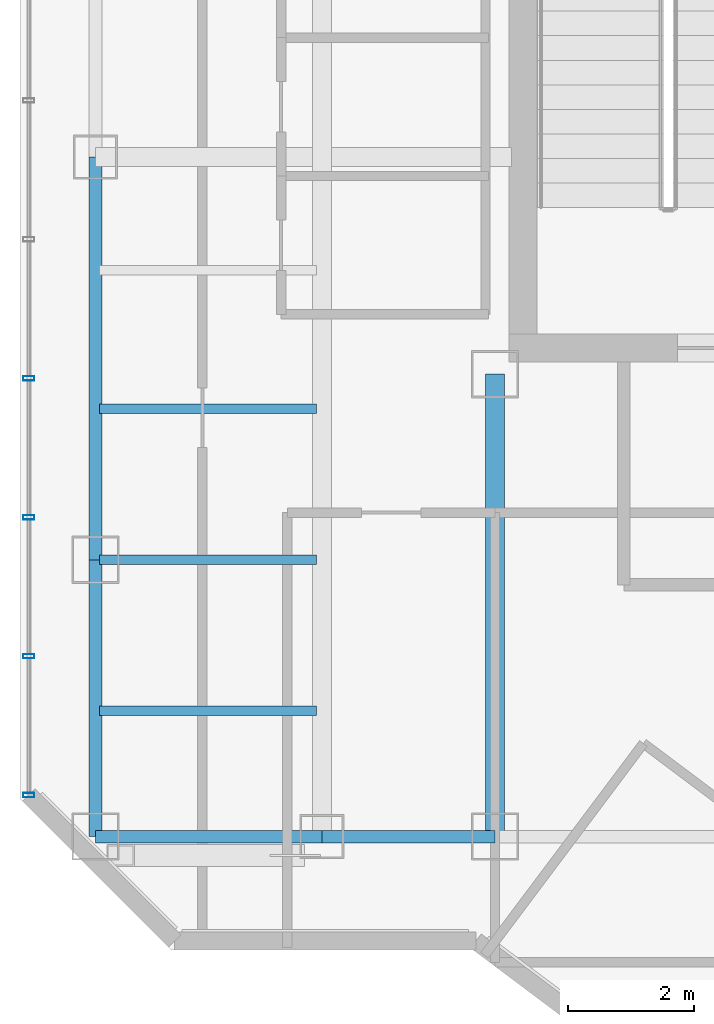
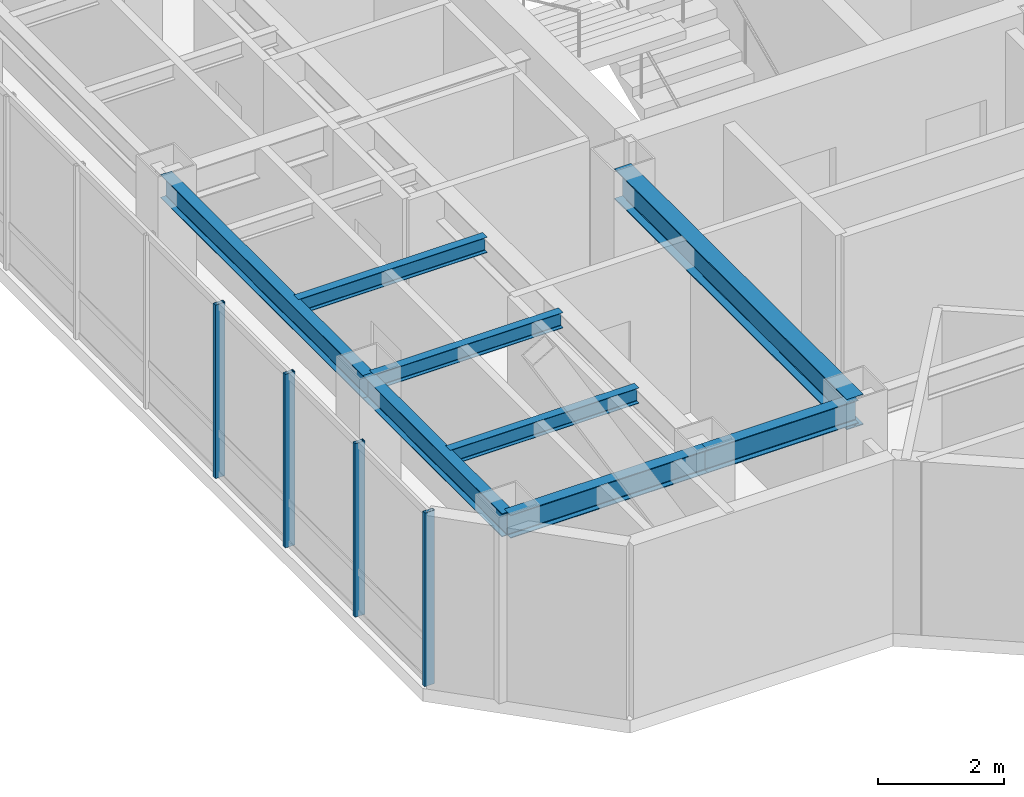
# One storey, part 4 of 25: 8 beams, 4 members, 1 element without a shape of its own.
"""IFC4 building model written with IfcOpenShell, lengths in metres."""

import ifcopenshell
import ifcopenshell.guid

model = None  # the IFC model being written
_history = None  # IfcOwnerHistory: only IFC2X3 demands one
_inside = {}  # id of a spatial element -> (the spatial element, [elements in it])
_under = {}  # id of a project, library or spatial element -> (it, [spatial elements below it])
_declared = {}  # id of a project -> (the project, [libraries it declares])
_typed = {}  # id of a type object -> (the type object, [elements of that type])
_made_of = {}  # id of a material, layer set ... -> (it, [elements and type objects made of it])


def new_model(schema):
    """Start an empty IFC model of exactly this schema.

    Asked for "IFC4X3", IfcOpenShell would pick the latest addendum, in which some entities
    have other attributes; the version numbers below select the first issue.
    IFC2X3 requires an IfcOwnerHistory on every rooted entity: one is made here for all.
    """
    global model, _history
    if schema == "IFC4X3":
        model = ifcopenshell.file(schema_version=(4, 3, 0, 0))
    else:
        model = ifcopenshell.file(schema=schema)
    _inside.clear()
    _under.clear()
    _declared.clear()
    _typed.clear()
    _made_of.clear()
    _history = None
    if model.schema == "IFC2X3":
        org = make("IfcOrganization", Name="unknown")
        user = make(
            "IfcPersonAndOrganization",
            ThePerson=make("IfcPerson", FamilyName="unknown"),
            TheOrganization=org,
        )
        app = make(
            "IfcApplication",
            ApplicationDeveloper=org,
            Version="unknown",
            ApplicationFullName="unknown",
            ApplicationIdentifier="unknown",
        )
        _history = make(
            "IfcOwnerHistory",
            OwningUser=user,
            OwningApplication=app,
            ChangeAction="ADDED",
            CreationDate=0,
        )
    return model


def make(cls, **values):
    """One entity of the class cls with the attributes given. An attribute that is None is left unset."""
    return model.create_entity(
        cls, **{name: value for name, value in values.items() if value is not None}
    )


def rooted(cls, **values):
    """An entity with a GlobalId (a new one), such as an element, a storey or a relation."""
    return make(cls, GlobalId=ifcopenshell.guid.new(), OwnerHistory=_history, **values)


def si_unit(unit_type, name, prefix=None):
    """IfcSIUnit, for example si_unit("LENGTHUNIT", "METRE", prefix="MILLI")."""
    return make("IfcSIUnit", UnitType=unit_type, Prefix=prefix, Name=name)


def assignment(units):
    """IfcUnitAssignment: the units of a project."""
    return None if units is None else make("IfcUnitAssignment", Units=units)


def point(xyz):
    """IfcCartesianPoint."""
    return None if xyz is None else make("IfcCartesianPoint", Coordinates=xyz)


def direction(xyz):
    """IfcDirection."""
    return None if xyz is None else make("IfcDirection", DirectionRatios=xyz)


def frame(location, z_axis=None, x_axis=None):
    """IfcAxis2Placement3D, a coordinate frame: its origin and axes. An axis left out is left unset."""
    return make(
        "IfcAxis2Placement3D",
        Location=point(location),
        Axis=direction(z_axis),
        RefDirection=direction(x_axis),
    )


def frame_2d(location, x_axis=None):
    """IfcAxis2Placement2D, a coordinate frame in the plane: its origin and x axis."""
    return make(
        "IfcAxis2Placement2D", Location=point(location), RefDirection=direction(x_axis)
    )


def origin():
    """The frame at (0, 0, 0) with its axes left unset."""
    return frame((0.0, 0.0, 0.0))


def origin_2d():
    """The frame at (0, 0) in the plane with its x axis left unset."""
    return frame_2d((0.0, 0.0))


def place(relative_to, where):
    """IfcLocalPlacement: puts the frame where relative to a parent placement (None: the world)."""
    return make(
        "IfcLocalPlacement", PlacementRelTo=relative_to, RelativePlacement=where
    )


def context(
    kind, dimensions, precision=None, world=None, true_north=None, identifier=None
):
    """IfcGeometricRepresentationContext, for example the 3D "Model" context."""
    return make(
        "IfcGeometricRepresentationContext",
        ContextIdentifier=identifier,
        ContextType=kind,
        CoordinateSpaceDimension=dimensions,
        Precision=precision,
        WorldCoordinateSystem=world,
        TrueNorth=true_north,
    )


def subcontext(parent, identifier, kind, view, scale=None):
    """IfcGeometricRepresentationSubContext, for example "Body" below "Model"."""
    return make(
        "IfcGeometricRepresentationSubContext",
        ContextIdentifier=identifier,
        ContextType=kind,
        ParentContext=parent,
        TargetScale=scale,
        TargetView=view,
    )


def project(units=None, contexts=None):
    """IfcProject with its units and contexts."""
    return rooted(
        "IfcProject",
        Name="project",
        RepresentationContexts=contexts,
        UnitsInContext=assignment(units),
    )


def spatial(cls, under=None, at=None, **own):
    """A site, building, storey or space (cls), placed at a placement, below another one or the project."""
    s = rooted(cls, ObjectPlacement=at, **own)
    if under is not None:
        _under.setdefault(under.id(), (under, []))[1].append(s)
    return s


def profile(cls, at=None, kind="AREA", **sizes):
    """A parametric profile (cls). Its sizes go by their IFC names, for example OverallWidth=200.0."""
    return make(cls, ProfileType=kind, Position=at, **sizes)


def hollow_rectangle(**sizes):
    """IfcRectangleHollowProfileDef."""
    return profile("IfcRectangleHollowProfileDef", **sizes)


def i_section(**sizes):
    """IfcIShapeProfileDef."""
    return profile("IfcIShapeProfileDef", **sizes)


def extrude(swept, where, along, depth):
    """IfcExtrudedAreaSolid: the profile swept, set in the frame where, extruded along a direction by depth."""
    return make(
        "IfcExtrudedAreaSolid",
        SweptArea=swept,
        Position=where,
        ExtrudedDirection=direction(along),
        Depth=depth,
    )


def shape(context_of_items, identifier, shape_type, items):
    """IfcShapeRepresentation: the items that make up one representation, for example the "Body"."""
    return make(
        "IfcShapeRepresentation",
        ContextOfItems=context_of_items,
        RepresentationIdentifier=identifier,
        RepresentationType=shape_type,
        Items=items,
    )


def material(Name=None, Category=None):
    """IfcMaterial."""
    return make("IfcMaterial", Name=Name, Category=Category)


def layer(
    of_material, thickness, ventilated=None, Name=None, Category=None, Priority=None
):
    """IfcMaterialLayer: one layer of a wall or slab, of a material (None: an air gap)."""
    return make(
        "IfcMaterialLayer",
        Material=of_material,
        LayerThickness=thickness,
        IsVentilated=ventilated,
        Name=Name,
        Category=Category,
        Priority=Priority,
    )


def layer_set(layers, Name=None):
    """IfcMaterialLayerSet."""
    return make("IfcMaterialLayerSet", MaterialLayers=layers, LayerSetName=Name)


def material_profile(
    of_material, cross_section, Name=None, Category=None, Priority=None
):
    """IfcMaterialProfile: a cross section and its material."""
    return make(
        "IfcMaterialProfile",
        Name=Name,
        Material=of_material,
        Profile=cross_section,
        Priority=Priority,
        Category=Category,
    )


def profile_set(profiles, Name=None, composite=None):
    """IfcMaterialProfileSet."""
    return make(
        "IfcMaterialProfileSet",
        Name=Name,
        MaterialProfiles=profiles,
        CompositeProfile=composite,
    )


def made_of(thing, what):
    """Note that an element or type object is made of a material, layer set ...; save() writes the relation."""
    if what is not None:
        _made_of.setdefault(what.id(), (what, []))[1].append(thing)
    return thing


def type_object(cls, material=None, **own):
    """A type object (cls), such as IfcWallType, which elements share."""
    return made_of(rooted(cls, **own), material)


def element(
    cls,
    number,
    at=None,
    inside=None,
    cuts=None,
    type_object=None,
    material=None,
    context=None,
    identifier="Body",
    shape_type=None,
    held_by="IfcProductDefinitionShape",
    body=None,
    shapes=None,
    **own,
):
    """One element of the class cls, such as IfcWall. Its Tag is "e" and its number.

    at: its placement. inside: the storey or other place that contains it. cuts: it is an
    opening in that element (IfcRelVoidsElement). A single representation is given by context,
    identifier, shape_type and body (its items); several are given by shapes. held_by: the class
    of the entity that holds the representations. save() writes the other relations.
    """
    e = rooted(cls, Tag="e%d" % number, ObjectPlacement=at, **own)
    if body is not None:
        shapes = [shape(context, identifier, shape_type, body)]
    if shapes is not None:
        e.Representation = make(held_by, Representations=shapes)
    if inside is not None:
        _inside.setdefault(inside.id(), (inside, []))[1].append(e)
    if cuts is not None:
        rooted(
            "IfcRelVoidsElement", RelatingBuildingElement=cuts, RelatedOpeningElement=e
        )
    if type_object is not None:
        _typed.setdefault(type_object.id(), (type_object, []))[1].append(e)
    return made_of(e, material)


def aggregate(whole, parts):
    """IfcRelAggregates: a whole, such as a stair, and the parts it consists of."""
    return rooted("IfcRelAggregates", RelatingObject=whole, RelatedObjects=parts)


def save(model, path):
    """Write the relations noted so far, then the file.

    IfcRelAggregates (storeys below a building ...), IfcRelContainedInSpatialStructure (elements
    in a storey), IfcRelDefinesByType, IfcRelAssociatesMaterial and IfcRelDeclares: one each for
    every whole, place, type object, material and project.
    """
    for whole, parts in _under.values():
        aggregate(whole, parts)
    for where, things in _inside.values():
        rooted(
            "IfcRelContainedInSpatialStructure",
            RelatedElements=things,
            RelatingStructure=where,
        )
    for kind, things in _typed.values():
        rooted("IfcRelDefinesByType", RelatedObjects=things, RelatingType=kind)
    for what, things in _made_of.values():
        rooted("IfcRelAssociatesMaterial", RelatedObjects=things, RelatingMaterial=what)
    for by, libraries in _declared.values():
        rooted("IfcRelDeclares", RelatingContext=by, RelatedDefinitions=libraries)
    model.write(path)


model = new_model("IFC4")

# Units and contexts
model_context = context("Model", 3, precision=1e-05, world=origin(), true_north=direction((0.0, 1.0)))
body_context = subcontext(model_context, "Body", "Model", "MODEL_VIEW")
ifc_project = project(units=[si_unit("LENGTHUNIT", "METRE"), si_unit("AREAUNIT", "SQUARE_METRE"), si_unit("VOLUMEUNIT", "CUBIC_METRE"), si_unit("PLANEANGLEUNIT", "RADIAN"), si_unit("MASSUNIT", "GRAM", prefix="KILO")], contexts=[model_context])

# Site, building, storey
site_placement = place(None, origin())
site = spatial("IfcSite", under=ifc_project, at=site_placement, CompositionType="ELEMENT")
building_placement = place(site_placement, origin())
building = spatial("IfcBuilding", under=site, at=building_placement, Name="Hatsunagi Terrace Concourse", CompositionType="ELEMENT")
storey_placement = place(building_placement, frame((0.0, 0.0, 205.949951171875)))
storey = spatial("IfcBuildingStorey", under=building, at=storey_placement, Name="L54", CompositionType="ELEMENT", Elevation=205.949951171875)

# Curtain wall, members
ifc_material_1 = material(Name="Anodised Aluminium Alloy 6063-T5", Category="aluminium")
ifc_layer = layer(ifc_material_1, 0.199951171875)
ifc_layer_set = layer_set([ifc_layer], Name="OfficeZone2_CW04")
curtain_wall_type = type_object("IfcCurtainWallType", Name="OfficeZone2_CW04", PredefinedType="NOTDEFINED", material=ifc_layer_set)
curtain_wall_placement = place(storey_placement, origin())
curtain_wall = element("IfcCurtainWall", 1, at=curtain_wall_placement, inside=storey, type_object=curtain_wall_type, Name="Unitised Curtain Wall CW-04 CW-L54-08", PredefinedType="NOTDEFINED")
ifc_material_2 = material(Name="Anodised Aluminium Alloy 6063-T5", Category="aluminium")
ifc_material_profile_1 = material_profile(ifc_material_2, hollow_rectangle(XDim=0.070068359375, YDim=0.179931640625, WallThickness=0.00390625, at=origin_2d()), Name="ALU-MUL-180x70x4")
ifc_profile_set_1 = profile_set([ifc_material_profile_1], Name="Anodised Aluminium Alloy 6063-T5")
member_type = type_object("IfcMemberType", Name="CurtainWallMullion_180x70", PredefinedType="MULLION", material=ifc_profile_set_1)
member_1_placement = place(storey_placement, frame((18.139892578125, 25.85791015625, 0.0), z_axis=(0.0, 0.0, 1.0), x_axis=(0.0, 1.0, 0.0)))
member_1 = element("IfcMember", 2, at=member_1_placement, type_object=member_type, Name="Curtain Wall Mullion MUL-02", PredefinedType="MULLION", context=body_context, shape_type="SweptSolid", body=[
    extrude(hollow_rectangle(XDim=0.070068359375, YDim=0.179931640625, WallThickness=0.00390625, at=origin_2d()), origin(), (0.0, 0.0, 1.0), 3.35009765625),
])
member_2_placement = place(storey_placement, frame((18.139892578125, 28.06591796875, 0.0), z_axis=(0.0, 0.0, 1.0), x_axis=(0.0, 1.0, 0.0)))
member_2 = element("IfcMember", 3, at=member_2_placement, type_object=member_type, Name="Curtain Wall Mullion MUL-02", PredefinedType="MULLION", context=body_context, shape_type="SweptSolid", body=[
    extrude(hollow_rectangle(XDim=0.070068359375, YDim=0.179931640625, WallThickness=0.00390625, at=origin_2d()), origin(), (0.0, 0.0, 1.0), 3.35009765625),
])
member_3_placement = place(storey_placement, frame((18.139892578125, 30.27490234375, 0.0), z_axis=(0.0, 0.0, 1.0), x_axis=(0.0, 1.0, 0.0)))
member_3 = element("IfcMember", 4, at=member_3_placement, type_object=member_type, Name="Curtain Wall Mullion MUL-02", PredefinedType="MULLION", context=body_context, shape_type="SweptSolid", body=[
    extrude(hollow_rectangle(XDim=0.070068359375, YDim=0.179931640625, WallThickness=0.00390625, at=origin_2d()), origin(), (0.0, 0.0, 1.0), 3.35009765625),
])
member_4_placement = place(storey_placement, frame((18.139892578125, 32.48291015625, 0.0), z_axis=(0.0, 0.0, 1.0), x_axis=(0.0, 1.0, 0.0)))
member_4 = element("IfcMember", 5, at=member_4_placement, type_object=member_type, Name="Curtain Wall Mullion MUL-02", PredefinedType="MULLION", context=body_context, shape_type="SweptSolid", body=[
    extrude(hollow_rectangle(XDim=0.070068359375, YDim=0.179931640625, WallThickness=0.00390625, at=origin_2d()), origin(), (0.0, 0.0, 1.0), 3.35009765625),
])
aggregate(curtain_wall, [member_1, member_2, member_3, member_4])

# Beams
ifc_material_3 = material(Name="Steel SN490B", Category="steel")
ifc_material_profile_2 = material_profile(ifc_material_3, i_section(OverallWidth=0.300048828125, OverallDepth=0.587890625, WebThickness=0.011962890625, FlangeThickness=0.02001953125, FilletRadius=0.01806640625, at=origin_2d()), Name="H-588x300x12x20")
ifc_profile_set_2 = profile_set([ifc_material_profile_2], Name="Steel SN490B")
beam_type_1 = type_object("IfcBeamType", Name="OfficeHighGirder_H_588x300", PredefinedType="BEAM", material=ifc_profile_set_2)
beam_1_placement = place(storey_placement, frame((25.550048828125, 25.199951171875, 3.05615234375), z_axis=(0.0, 1.0, 0.0), x_axis=(-1.0, 0.0, 0.0)))
element("IfcBeam", 6, at=beam_1_placement, inside=storey, type_object=beam_type_1, Name="Beam G-06 BM-L54-K1CA", PredefinedType="BEAM", context=body_context, shape_type="SweptSolid", body=[
    extrude(i_section(OverallWidth=0.300048828125, OverallDepth=0.587890625, WebThickness=0.011962890625, FlangeThickness=0.02001953125, FilletRadius=0.01806640625, at=origin_2d()), origin(), (0.0, 0.0, 1.0), 7.35009765625),
])
ifc_material_4 = material(Name="Steel SN490B", Category="steel")
ifc_material_profile_3 = material_profile(ifc_material_4, i_section(OverallWidth=0.14990234375, OverallDepth=0.300048828125, WebThickness=0.006591796875, FlangeThickness=0.009033203125, FilletRadius=0.010986328125, at=origin_2d()), Name="H-300x150x6.5x9")
ifc_profile_set_3 = profile_set([ifc_material_profile_3], Name="Steel SN490B")
beam_type_2 = type_object("IfcBeamType", Name="OfficeJoist_H_300x150", PredefinedType="JOIST", material=ifc_profile_set_3)
for number, where, z_axis, x_axis, name in (
    (7, (19.264892578125, 27.199951171875, 3.199951171875), (1.0, 0.0, 0.0), (0.0, 1.0, 0.0), "Beam J-03 J-L54-W-19-272"),
    (8, (19.264892578125, 29.60009765625, 3.199951171875), (1.0, 0.0, 0.0), (0.0, 1.0, 0.0), "Beam J-03 J-L54-W-19-296"),
    (9, (19.264892578125, 32.0, 3.199951171875), (1.0, 0.0, 0.0), (0.0, 1.0, 0.0), "Beam J-03 J-L54-W-19-320"),
):
    element("IfcBeam", number, at=place(storey_placement, frame(where, z_axis=z_axis, x_axis=x_axis)), inside=storey, type_object=beam_type_2, Name=name, PredefinedType="JOIST", context=body_context, shape_type="SweptSolid", body=[
        extrude(i_section(OverallWidth=0.14990234375, OverallDepth=0.300048828125, WebThickness=0.006591796875, FlangeThickness=0.009033203125, FilletRadius=0.010986328125, at=origin_2d()), origin(), (0.0, 0.0, 1.0), 3.4501953125),
    ])
ifc_material_5 = material(Name="Steel SN490B", Category="steel")
ifc_material_profile_4 = material_profile(ifc_material_5, i_section(OverallWidth=0.199951171875, OverallDepth=0.449951171875, WebThickness=0.009033203125, FlangeThickness=0.013916015625, FilletRadius=0.01611328125, at=origin_2d()), Name="H-450x200x9x14")
ifc_profile_set_4 = profile_set([ifc_material_profile_4], Name="Steel SN490B")
beam_type_3 = type_object("IfcBeamType", Name="PerimeterSpandrel_H_450x200", PredefinedType="SPANDREL", material=ifc_profile_set_4)
beam_2_placement = place(storey_placement, frame((19.199951171875, 25.199951171875, 3.125), z_axis=(1.0, 0.0, 0.0), x_axis=(0.0, 1.0, 0.0)))
element("IfcBeam", 10, at=beam_2_placement, inside=storey, type_object=beam_type_3, Name="Beam SP-02 BM-L54-WS-19", PredefinedType="SPANDREL", context=body_context, shape_type="SweptSolid", body=[
    extrude(i_section(OverallWidth=0.199951171875, OverallDepth=0.449951171875, WebThickness=0.009033203125, FlangeThickness=0.013916015625, FilletRadius=0.01611328125, at=origin_2d()), origin(), (0.0, 0.0, 1.0), 3.60009765625),
])
beam_3_placement = place(storey_placement, frame((22.800048828125, 25.199951171875, 3.125), z_axis=(1.0, 0.0, 0.0), x_axis=(0.0, 1.0, 0.0)))
element("IfcBeam", 11, at=beam_3_placement, inside=storey, type_object=beam_type_3, Name="Beam SP-02 BM-L54-WS-22", PredefinedType="SPANDREL", context=body_context, shape_type="SweptSolid", body=[
    extrude(i_section(OverallWidth=0.199951171875, OverallDepth=0.449951171875, WebThickness=0.009033203125, FlangeThickness=0.013916015625, FilletRadius=0.01611328125, at=origin_2d()), origin(), (0.0, 0.0, 1.0), 2.75),
])
beam_4_placement = place(storey_placement, frame((19.199951171875, 25.199951171875, 3.125), z_axis=(0.0, 1.0, 0.0), x_axis=(-1.0, 0.0, 0.0)))
element("IfcBeam", 12, at=beam_4_placement, inside=storey, type_object=beam_type_3, Name="Beam SP-02 BM-L54-NS-19-25", PredefinedType="SPANDREL", context=body_context, shape_type="SweptSolid", body=[
    extrude(i_section(OverallWidth=0.199951171875, OverallDepth=0.449951171875, WebThickness=0.009033203125, FlangeThickness=0.013916015625, FilletRadius=0.01611328125, at=origin_2d()), origin(), (0.0, 0.0, 1.0), 4.400146484375),
])
beam_5_placement = place(storey_placement, frame((19.199951171875, 29.60009765625, 3.125), z_axis=(0.0, 1.0, 0.0), x_axis=(-1.0, 0.0, 0.0)))
element("IfcBeam", 13, at=beam_5_placement, inside=storey, type_object=beam_type_3, Name="Beam SP-02 BM-L54-NS-19-29", PredefinedType="SPANDREL", context=body_context, shape_type="SweptSolid", body=[
    extrude(i_section(OverallWidth=0.199951171875, OverallDepth=0.449951171875, WebThickness=0.009033203125, FlangeThickness=0.013916015625, FilletRadius=0.01611328125, at=origin_2d()), origin(), (0.0, 0.0, 1.0), 6.39990234375),
])

save(model, "model.ifc")
